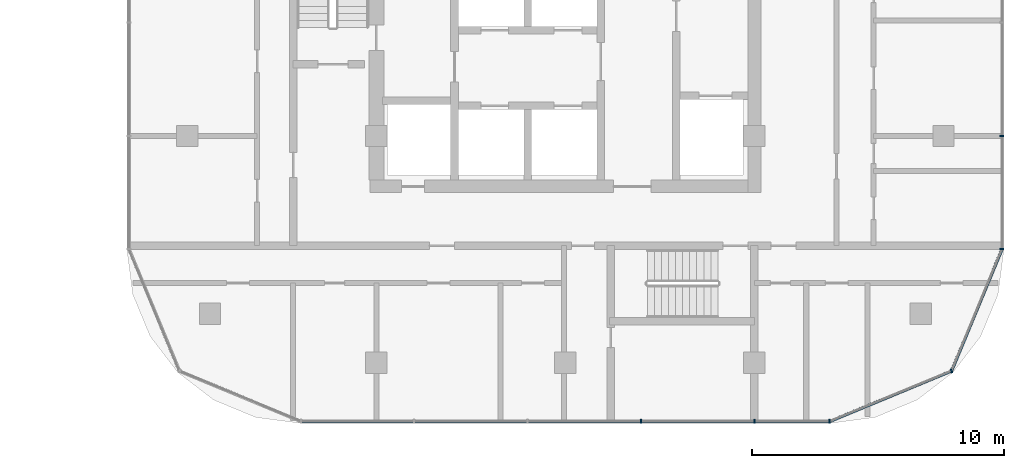
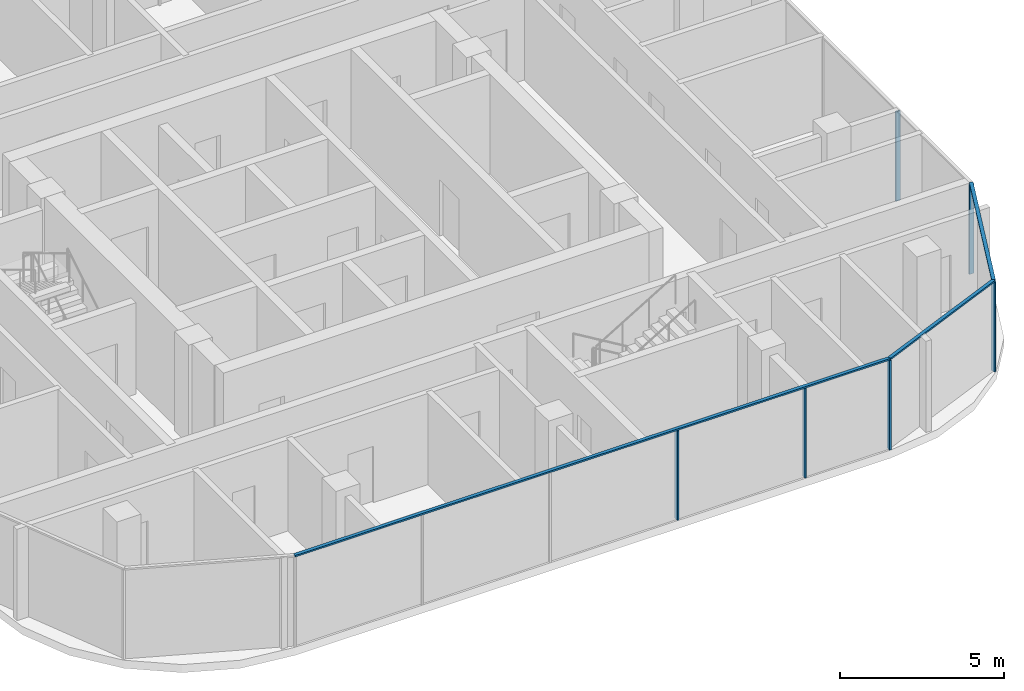
# One storey, part 12 of 34: 9 members, 3 elements without a shape of their own.
"""IFC4 building model written with IfcOpenShell, lengths in metres."""

from ifc_helpers import new_model, si_unit, direction, frame, origin, origin_2d, place, context, subcontext, project, spatial, rectangle, extrude, material, material_profile, profile_set, type_object, element, aggregate, save


model = new_model("IFC4")

# Units and contexts
model_context = context("Model", 3, precision=1e-05, world=origin(), true_north=direction((0.0, 1.0)))
body_context = subcontext(model_context, "Body", "Model", "MODEL_VIEW")
ifc_project = project(units=[si_unit("LENGTHUNIT", "METRE"), si_unit("AREAUNIT", "SQUARE_METRE"), si_unit("VOLUMEUNIT", "CUBIC_METRE"), si_unit("PLANEANGLEUNIT", "RADIAN"), si_unit("MASSUNIT", "GRAM", prefix="KILO")], contexts=[model_context])

# Site, building, storey
site_placement = place(None, origin())
site = spatial("IfcSite", under=ifc_project, at=site_placement, CompositionType="ELEMENT")
building_placement = place(site_placement, origin())
building = spatial("IfcBuilding", under=site, at=building_placement, Name="Ogive Portal Towers", CompositionType="ELEMENT")
storey_placement = place(building_placement, frame((0.0, 0.0, 66.800048828125)))
storey = spatial("IfcBuildingStorey", under=building, at=storey_placement, Name="L15", CompositionType="ELEMENT", Elevation=66.800048828125)

# Curtain wall, members
ifc_material_1 = material(Name="Glass, clear low-iron insulated glazing", Category="glass")
curtain_wall_type = type_object("IfcCurtainWallType", Name="CW RESIDENCES RIBBON", PredefinedType="NOTDEFINED", material=ifc_material_1)
curtain_wall_1_placement = place(storey_placement, origin())
curtain_wall_1 = element("IfcCurtainWall", 1, at=curtain_wall_1_placement, inside=storey, type_object=curtain_wall_type, Name="B:L15:f02:cw0", PredefinedType="NOTDEFINED")
ifc_material_2 = material(Name="Aluminium 6063 anodised", Category="aluminium")
ifc_material_profile_1 = material_profile(ifc_material_2, rectangle(XDim=0.159912109375, YDim=0.06005859375, at=origin_2d()), Name="AL 60x160")
ifc_profile_set_1 = profile_set([ifc_material_profile_1], Name="Aluminium 6063 anodised")
member_type_1 = type_object("IfcMemberType", Name="CW MULLION 60x160", PredefinedType="MULLION", material=ifc_profile_set_1)
member_1_placement = place(storey_placement, frame((139.5, 15.179931640625, 0.0), z_axis=(0.0, 0.0, 1.0), x_axis=(0.0, 1.0, 0.0)))
member_1 = element("IfcMember", 2, at=member_1_placement, type_object=member_type_1, Name="mullion", PredefinedType="MULLION", context=body_context, shape_type="SweptSolid", body=[
    extrude(rectangle(XDim=0.159912109375, YDim=0.06005859375, at=origin_2d()), origin(), (0.0, 0.0, 1.0), 3.33984375),
])
member_2_placement = place(storey_placement, frame((144.0, 15.179931640625, 0.0), z_axis=(0.0, 0.0, 1.0), x_axis=(0.0, 1.0, 0.0)))
member_2 = element("IfcMember", 3, at=member_2_placement, type_object=member_type_1, Name="mullion", PredefinedType="MULLION", context=body_context, shape_type="SweptSolid", body=[
    extrude(rectangle(XDim=0.159912109375, YDim=0.06005859375, at=origin_2d()), origin(), (0.0, 0.0, 1.0), 3.33984375),
])
member_3_placement = place(storey_placement, frame((146.984130859375, 15.179931640625, 0.0), z_axis=(0.0, 0.0, 1.0), x_axis=(0.0, 1.0, 0.0)))
member_3 = element("IfcMember", 4, at=member_3_placement, type_object=member_type_1, Name="mullion", PredefinedType="MULLION", context=body_context, shape_type="SweptSolid", body=[
    extrude(rectangle(XDim=0.159912109375, YDim=0.06005859375, at=origin_2d()), origin(), (0.0, 0.0, 1.0), 3.33984375),
])

curtain_wall_2_placement = place(storey_placement, origin())
curtain_wall_2 = element("IfcCurtainWall", 5, at=curtain_wall_2_placement, inside=storey, type_object=curtain_wall_type, Name="B:L15:f05:cw0", PredefinedType="NOTDEFINED")
member_4_placement = place(storey_placement, frame((153.820068359375, 22.015869140625, 0.0), z_axis=(0.0, 0.0, 1.0), x_axis=(-1.0, 0.0, 0.0)))
member_4 = element("IfcMember", 6, at=member_4_placement, type_object=member_type_1, Name="mullion", PredefinedType="MULLION", context=body_context, shape_type="SweptSolid", body=[
    extrude(rectangle(XDim=0.159912109375, YDim=0.06005859375, at=origin_2d()), origin(), (0.0, 0.0, 1.0), 3.33984375),
])
member_5_placement = place(storey_placement, frame((153.820068359375, 26.5, 0.0), z_axis=(0.0, 0.0, 1.0), x_axis=(-1.0, 0.0, 0.0)))
member_5 = element("IfcMember", 7, at=member_5_placement, type_object=member_type_1, Name="mullion", PredefinedType="MULLION", context=body_context, shape_type="SweptSolid", body=[
    extrude(rectangle(XDim=0.159912109375, YDim=0.06005859375, at=origin_2d()), origin(), (0.0, 0.0, 1.0), 3.33984375),
])
aggregate(curtain_wall_2, [member_4, member_5])

# Curtain wall, member
curtain_wall_3_placement = place(storey_placement, origin())
curtain_wall_3 = element("IfcCurtainWall", 8, at=curtain_wall_3_placement, inside=storey, type_object=curtain_wall_type, Name="B:L15:f03:cwa", PredefinedType="NOTDEFINED")
member_6_placement = place(storey_placement, frame((151.81787109375, 17.18212890625, 0.0), z_axis=(0.0, 0.0, 1.0), x_axis=(-0.382683432365, 0.923879532511, 0.0)))
member_6 = element("IfcMember", 9, at=member_6_placement, type_object=member_type_1, Name="mullion", PredefinedType="MULLION", context=body_context, shape_type="SweptSolid", body=[
    extrude(rectangle(XDim=0.159912109375, YDim=0.06005859375, at=origin_2d()), origin(), (0.0, 0.0, 1.0), 3.33984375),
])

# Member
ifc_material_profile_2 = material_profile(ifc_material_2, rectangle(XDim=0.1201171875, YDim=0.06005859375, at=origin_2d()), Name="AL 120x60")
ifc_profile_set_2 = profile_set([ifc_material_profile_2], Name="Aluminium 6063 anodised")
member_type_2 = type_object("IfcMemberType", Name="CW TRANSOM 60x120", PredefinedType="USERDEFINED", material=ifc_profile_set_2)
member_7_placement = place(storey_placement, frame((126.015869140625, 15.179931640625, 3.369873046875), z_axis=(1.0, 0.0, 0.0), x_axis=(0.0, 1.0, 0.0)))
member_7 = element("IfcMember", 10, at=member_7_placement, type_object=member_type_2, Name="transom", ObjectType="TRANSOM", PredefinedType="USERDEFINED", context=body_context, shape_type="SweptSolid", body=[
    extrude(rectangle(XDim=0.1201171875, YDim=0.06005859375, at=origin_2d()), origin(), (0.0, 0.0, 1.0), 20.96826171875),
])

aggregate(curtain_wall_1, [member_7, member_1, member_2, member_3])

member_8_placement = place(storey_placement, frame((146.984130859375, 15.179931640625, 3.369873046875), z_axis=(0.923879768784, 0.382682861952, 0.0), x_axis=(-0.382682861952, 0.923879768784, 0.0)))
member_8 = element("IfcMember", 11, at=member_8_placement, type_object=member_type_2, Name="transom", ObjectType="TRANSOM", PredefinedType="USERDEFINED", context=body_context, shape_type="SweptSolid", body=[
    extrude(rectangle(XDim=0.1201171875, YDim=0.06005859375, at=origin_2d()), origin(), (0.0, 0.0, 1.0), 5.23193359375),
])

member_9_placement = place(storey_placement, frame((151.81787109375, 17.18212890625, 3.369873046875), z_axis=(0.382682861952, 0.923879768784, 0.0), x_axis=(-0.923879768784, 0.382682861952, 0.0)))
member_9 = element("IfcMember", 12, at=member_9_placement, type_object=member_type_2, Name="transom", ObjectType="TRANSOM", PredefinedType="USERDEFINED", context=body_context, shape_type="SweptSolid", body=[
    extrude(rectangle(XDim=0.1201171875, YDim=0.06005859375, at=origin_2d()), origin(), (0.0, 0.0, 1.0), 5.23193359375),
])

aggregate(curtain_wall_3, [member_8, member_9, member_6])

save(model, "model.ifc")
